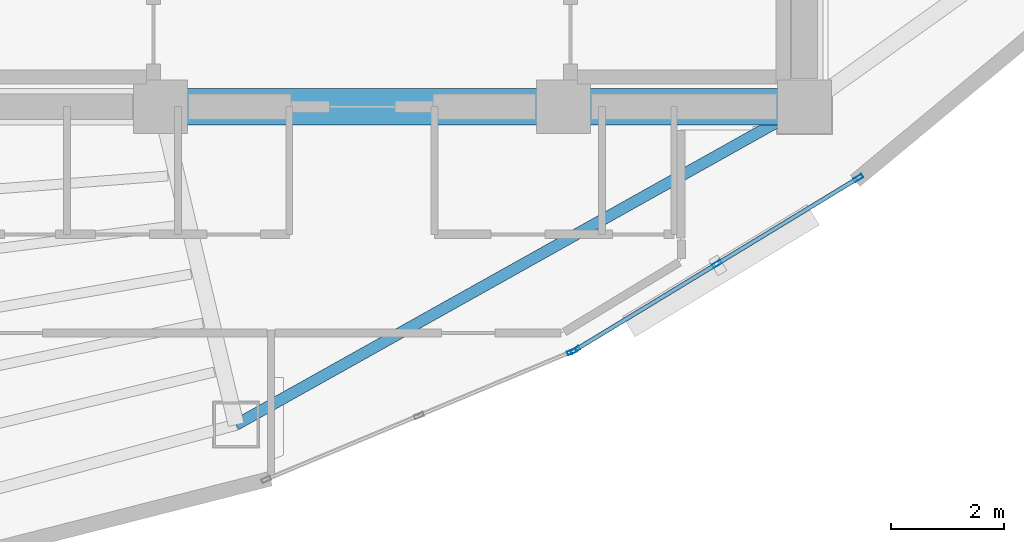
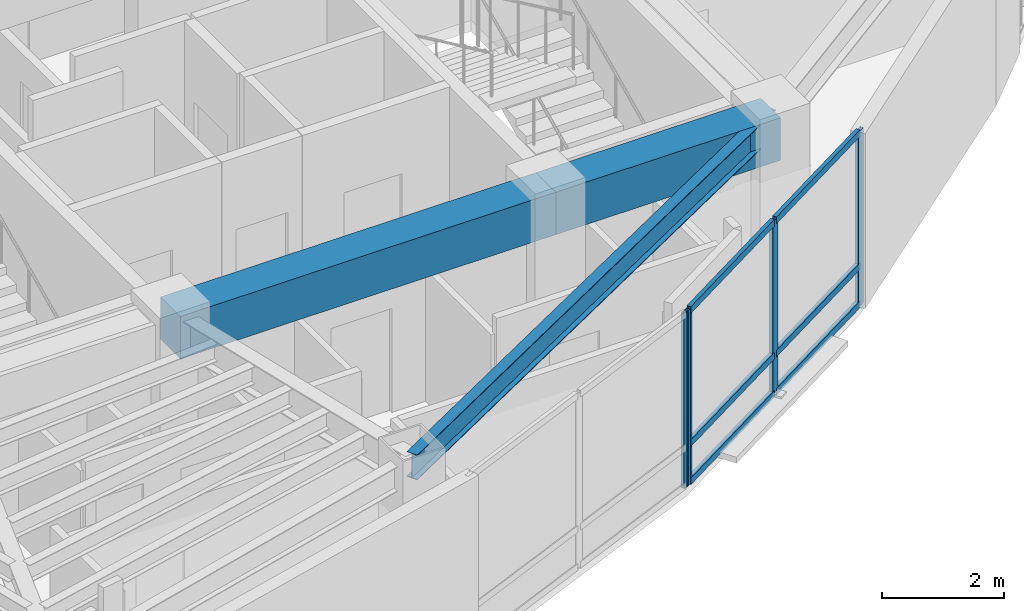
# One storey, part 5 of 15: 10 members, 3 beams, 2 elements without a shape of their own.
"""IFC4 building model written with IfcOpenShell, lengths in metres."""

from ifc_helpers import new_model, si_unit, direction, frame, origin, origin_2d, place, context, subcontext, project, spatial, rectangle, hollow_rectangle, i_section, extrude, material, layer, layer_set, material_profile, profile_set, type_object, element, aggregate, save


model = new_model("IFC4")

# Units and contexts
model_context = context("Model", 3, precision=1e-05, world=origin(), true_north=direction((0.0, 1.0)))
body_context = subcontext(model_context, "Body", "Model", "MODEL_VIEW")
ifc_project = project(units=[si_unit("LENGTHUNIT", "METRE"), si_unit("AREAUNIT", "SQUARE_METRE"), si_unit("VOLUMEUNIT", "CUBIC_METRE"), si_unit("PLANEANGLEUNIT", "RADIAN"), si_unit("MASSUNIT", "GRAM", prefix="KILO")], contexts=[model_context])

# Site, building, storey
site_placement = place(None, origin())
site = spatial("IfcSite", under=ifc_project, at=site_placement, CompositionType="ELEMENT")
building_placement = place(site_placement, origin())
building = spatial("IfcBuilding", under=site, at=building_placement, Name="Menara Vayukalpa", CompositionType="ELEMENT")
storey_placement = place(building_placement, frame((0.0, 0.0, 291.780029296875)))
storey = spatial("IfcBuildingStorey", under=building, at=storey_placement, Name="L74", CompositionType="ELEMENT", Elevation=291.780029296875)

# Beams
ifc_material_1 = material(Name="Concrete C60/75", Category="concrete")
ifc_material_profile_1 = material_profile(ifc_material_1, rectangle(XDim=0.64990234375, YDim=0.85009765625, at=origin_2d()), Name="RC 650x850")
ifc_profile_set_1 = profile_set([ifc_material_profile_1], Name="Concrete C60/75")
beam_type_1 = type_object("IfcBeamType", Name="BM-CB1", PredefinedType="BEAM", material=ifc_profile_set_1)
beam_1_placement = place(storey_placement, frame((22.050048828125, 17.199951171875, 3.074951171875), z_axis=(1.0, 0.0, 0.0), x_axis=(0.0, 1.0, 0.0)))
element("IfcBeam", 1, at=beam_1_placement, inside=storey, type_object=beam_type_1, Name="L74 Core Tie Beam CBR2", PredefinedType="BEAM", context=body_context, shape_type="SweptSolid", body=[
    extrude(rectangle(XDim=0.64990234375, YDim=0.85009765625, at=origin_2d()), origin(), (0.0, 0.0, 1.0), 7.099853515625),
])
beam_2_placement = place(storey_placement, frame((29.14990234375, 17.199951171875, 3.074951171875), z_axis=(1.0, 0.0, 0.0), x_axis=(0.0, 1.0, 0.0)))
element("IfcBeam", 2, at=beam_2_placement, inside=storey, type_object=beam_type_1, Name="L74 Core Tie Beam CBR3", PredefinedType="BEAM", context=body_context, shape_type="SweptSolid", body=[
    extrude(rectangle(XDim=0.64990234375, YDim=0.85009765625, at=origin_2d()), origin(), (0.0, 0.0, 1.0), 4.25),
])
ifc_material_2 = material(Name="Steel S355", Category="steel")
ifc_material_profile_2 = material_profile(ifc_material_2, i_section(OverallWidth=0.199951171875, OverallDepth=0.5, WebThickness=0.010009765625, FlangeThickness=0.01611328125, at=origin_2d()), Name="WF 500x200x10x16")
ifc_profile_set_2 = profile_set([ifc_material_profile_2], Name="Steel S355")
beam_type_2 = type_object("IfcBeamType", Name="BM-SP3", PredefinedType="SPANDREL", material=ifc_profile_set_2)
beam_3_placement = place(storey_placement, frame((23.3818359375, 11.59521484375, 3.25), z_axis=(0.87270577288, 0.48824648896, 0.0), x_axis=(-0.48824648896, 0.87270577288, 0.0)))
element("IfcBeam", 3, at=beam_3_placement, inside=storey, type_object=beam_type_2, Name="L74 Perimeter Spandrel Beam SP08", PredefinedType="SPANDREL", context=body_context, shape_type="SweptSolid", body=[
    extrude(i_section(OverallWidth=0.199951171875, OverallDepth=0.5, WebThickness=0.010009765625, FlangeThickness=0.01611328125, at=origin_2d()), origin(), (0.0, 0.0, 1.0), 11.479248046875),
])

# Curtain wall, member
ifc_material_3 = material(Name="Anodised Terracotta Aluminium Alloy 6063-T6", Category="masonry")
ifc_layer = layer(ifc_material_3, 0.1650390625)
ifc_layer_set = layer_set([ifc_layer], Name="Anodised Terracotta Aluminium Alloy 6063-T6")
curtain_wall_type = type_object("IfcCurtainWallType", Name="CW-CW6", PredefinedType="USERDEFINED", material=ifc_layer_set)
curtain_wall_1_placement = place(storey_placement, origin())
curtain_wall_1 = element("IfcCurtainWall", 4, at=curtain_wall_1_placement, inside=storey, type_object=curtain_wall_type, Name="L74 Observation and Executive Curtain Wall CW6 16", ObjectType="UNITISED", PredefinedType="USERDEFINED")
ifc_material_4 = material(Name="Anodised Terracotta Aluminium Alloy 6063-T6", Category="masonry")
ifc_material_profile_3 = material_profile(ifc_material_4, hollow_rectangle(XDim=0.070068359375, YDim=0.1650390625, WallThickness=0.00390625, at=origin_2d()), Name="ALU 70x165x4")
ifc_profile_set_3 = profile_set([ifc_material_profile_3], Name="Anodised Terracotta Aluminium Alloy 6063-T6")
member_type_1 = type_object("IfcMemberType", Name="CWM-CW6", PredefinedType="MULLION", material=ifc_profile_set_3)
member_1_placement = place(storey_placement, frame((29.298828125, 12.881103515625, 0.0), z_axis=(0.0, 0.0, 1.0), x_axis=(-0.385899911703, 0.922540653927, 0.0)))
member_1 = element("IfcMember", 5, at=member_1_placement, type_object=member_type_1, Name="CW6 mullion 3", PredefinedType="MULLION", context=body_context, shape_type="SweptSolid", body=[
    extrude(hollow_rectangle(XDim=0.070068359375, YDim=0.1650390625, WallThickness=0.00390625, at=origin_2d()), origin(), (0.0, 0.0, 1.0), 3.5),
])
aggregate(curtain_wall_1, [member_1])

# Curtain wall, members
curtain_wall_2_placement = place(storey_placement, origin())
curtain_wall_2 = element("IfcCurtainWall", 6, at=curtain_wall_2_placement, inside=storey, type_object=curtain_wall_type, Name="L74 Observation and Executive Curtain Wall CW6 17", ObjectType="UNITISED", PredefinedType="USERDEFINED")
member_2_placement = place(storey_placement, frame((29.36083984375, 12.912841796875, 0.0), z_axis=(0.0, 0.0, 1.0), x_axis=(-0.519175574558, 0.854667609532, 0.0)))
member_2 = element("IfcMember", 7, at=member_2_placement, type_object=member_type_1, Name="CW6 mullion 1", PredefinedType="MULLION", context=body_context, shape_type="SweptSolid", body=[
    extrude(hollow_rectangle(XDim=0.070068359375, YDim=0.1650390625, WallThickness=0.00390625, at=origin_2d()), origin(), (0.0, 0.0, 1.0), 3.5),
])
member_3_placement = place(storey_placement, frame((31.85546875, 14.42822265625, 0.0), z_axis=(0.0, 0.0, 1.0), x_axis=(-0.519175574558, 0.854667609532, 0.0)))
member_3 = element("IfcMember", 8, at=member_3_placement, type_object=member_type_1, Name="CW6 mullion 2", PredefinedType="MULLION", context=body_context, shape_type="SweptSolid", body=[
    extrude(hollow_rectangle(XDim=0.070068359375, YDim=0.1650390625, WallThickness=0.00390625, at=origin_2d()), origin(), (0.0, 0.0, 1.0), 3.5),
])
member_4_placement = place(storey_placement, frame((34.35009765625, 15.943603515625, 0.0), z_axis=(0.0, 0.0, 1.0), x_axis=(-0.519175574558, 0.854667609532, 0.0)))
member_4 = element("IfcMember", 9, at=member_4_placement, type_object=member_type_1, Name="CW6 mullion 3", PredefinedType="MULLION", context=body_context, shape_type="SweptSolid", body=[
    extrude(hollow_rectangle(XDim=0.070068359375, YDim=0.1650390625, WallThickness=0.00390625, at=origin_2d()), origin(), (0.0, 0.0, 1.0), 3.5),
])
ifc_material_5 = material(Name="Anodised Terracotta Aluminium Alloy 6063-T6", Category="masonry")
ifc_material_profile_4 = material_profile(ifc_material_5, hollow_rectangle(XDim=0.074951171875, YDim=0.135009765625, WallThickness=0.00390625, at=origin_2d()), Name="ALU 75x135x4")
ifc_profile_set_4 = profile_set([ifc_material_profile_4], Name="Anodised Terracotta Aluminium Alloy 6063-T6")
member_type_2 = type_object("IfcMemberType", Name="CWT-CW6", PredefinedType="USERDEFINED", material=ifc_profile_set_4)
member_5_placement = place(storey_placement, frame((29.390869140625, 12.93115234375, 0.037353515625), z_axis=(0.854689729536, 0.519139158825, 0.0), x_axis=(-0.519139158825, 0.854689729536, 0.0)))
member_5 = element("IfcMember", 10, at=member_5_placement, type_object=member_type_2, Name="CW6 transom 1.1", ObjectType="TRANSOM", PredefinedType="USERDEFINED", context=body_context, shape_type="SweptSolid", body=[
    extrude(hollow_rectangle(XDim=0.074951171875, YDim=0.135009765625, WallThickness=0.00390625, at=origin_2d()), origin(), (0.0, 0.0, 1.0), 2.848388671875),
])
member_6_placement = place(storey_placement, frame((29.390869140625, 12.93115234375, 0.800048828125), z_axis=(0.854689729536, 0.519139158825, 0.0), x_axis=(-0.519139158825, 0.854689729536, 0.0)))
member_6 = element("IfcMember", 11, at=member_6_placement, type_object=member_type_2, Name="CW6 transom 1.2", ObjectType="TRANSOM", PredefinedType="USERDEFINED", context=body_context, shape_type="SweptSolid", body=[
    extrude(hollow_rectangle(XDim=0.074951171875, YDim=0.135009765625, WallThickness=0.00390625, at=origin_2d()), origin(), (0.0, 0.0, 1.0), 2.848388671875),
])
member_7_placement = place(storey_placement, frame((29.390869140625, 12.93115234375, 3.46240234375), z_axis=(0.854689729536, 0.519139158825, 0.0), x_axis=(-0.519139158825, 0.854689729536, 0.0)))
member_7 = element("IfcMember", 12, at=member_7_placement, type_object=member_type_2, Name="CW6 transom 1.3", ObjectType="TRANSOM", PredefinedType="USERDEFINED", context=body_context, shape_type="SweptSolid", body=[
    extrude(hollow_rectangle(XDim=0.074951171875, YDim=0.135009765625, WallThickness=0.00390625, at=origin_2d()), origin(), (0.0, 0.0, 1.0), 2.848388671875),
])
member_8_placement = place(storey_placement, frame((31.88525390625, 14.4462890625, 0.037353515625), z_axis=(0.854674800659, 0.519163736328, 0.0), x_axis=(-0.519163736328, 0.85467480066, 0.0)))
member_8 = element("IfcMember", 13, at=member_8_placement, type_object=member_type_2, Name="CW6 transom 2.1", ObjectType="TRANSOM", PredefinedType="USERDEFINED", context=body_context, shape_type="SweptSolid", body=[
    extrude(hollow_rectangle(XDim=0.074951171875, YDim=0.135009765625, WallThickness=0.00390625, at=origin_2d()), origin(), (0.0, 0.0, 1.0), 2.848876953125),
])
member_9_placement = place(storey_placement, frame((31.88525390625, 14.4462890625, 0.800048828125), z_axis=(0.854674800659, 0.519163736328, 0.0), x_axis=(-0.519163736328, 0.85467480066, 0.0)))
member_9 = element("IfcMember", 14, at=member_9_placement, type_object=member_type_2, Name="CW6 transom 2.2", ObjectType="TRANSOM", PredefinedType="USERDEFINED", context=body_context, shape_type="SweptSolid", body=[
    extrude(hollow_rectangle(XDim=0.074951171875, YDim=0.135009765625, WallThickness=0.00390625, at=origin_2d()), origin(), (0.0, 0.0, 1.0), 2.848876953125),
])
member_10_placement = place(storey_placement, frame((31.88525390625, 14.4462890625, 3.46240234375), z_axis=(0.854674800659, 0.519163736328, 0.0), x_axis=(-0.519163736328, 0.85467480066, 0.0)))
member_10 = element("IfcMember", 15, at=member_10_placement, type_object=member_type_2, Name="CW6 transom 2.3", ObjectType="TRANSOM", PredefinedType="USERDEFINED", context=body_context, shape_type="SweptSolid", body=[
    extrude(hollow_rectangle(XDim=0.074951171875, YDim=0.135009765625, WallThickness=0.00390625, at=origin_2d()), origin(), (0.0, 0.0, 1.0), 2.848876953125),
])
aggregate(curtain_wall_2, [member_2, member_3, member_4, member_5, member_6, member_7, member_8, member_9, member_10])

save(model, "model.ifc")
